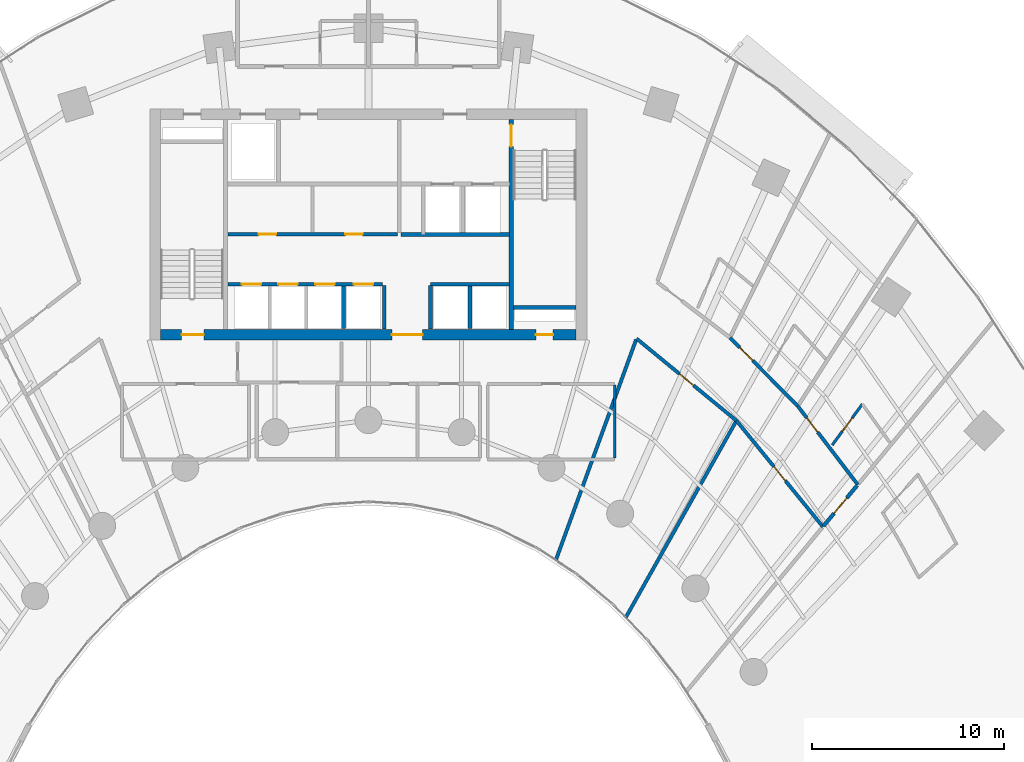
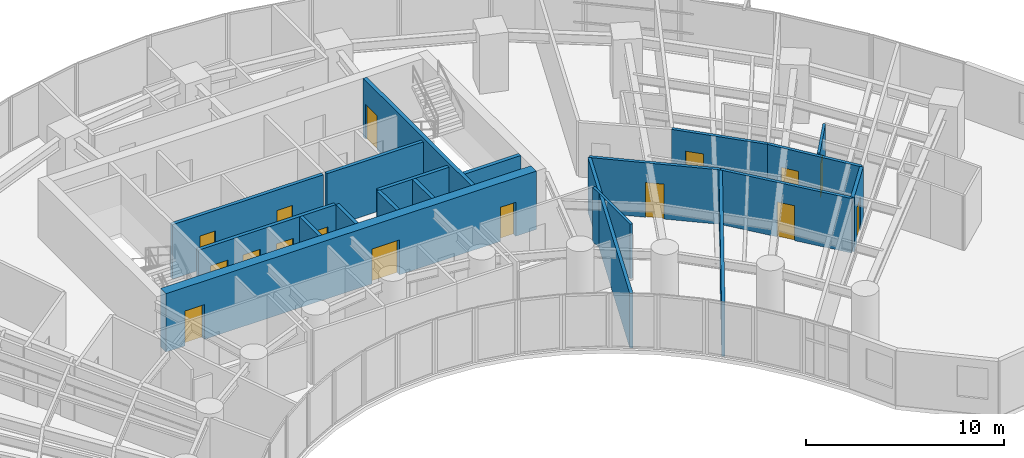
# One storey, part 12 of 17: 20 walls, 16 doors, 16 openings.
"""IFC4 building model written with IfcOpenShell, lengths in metres."""

from ifc_helpers import new_model, si_unit, direction, frame, frame_2d, origin, place, context, subcontext, project, spatial, rectangle, extrude, source, transform, mapped, material, layer, layer_set, type_object, type_shapes, element, fill, save


model = new_model("IFC4")

# Units and contexts
model_context = context("Model", 3, precision=1e-05, world=origin(), true_north=direction((0.0, 1.0)))
body_context = subcontext(model_context, "Body", "Model", "MODEL_VIEW")
ifc_project = project(units=[si_unit("LENGTHUNIT", "METRE"), si_unit("AREAUNIT", "SQUARE_METRE"), si_unit("VOLUMEUNIT", "CUBIC_METRE"), si_unit("PLANEANGLEUNIT", "RADIAN"), si_unit("MASSUNIT", "GRAM", prefix="KILO")], contexts=[model_context])

# Site, building, storey
site_placement = place(None, origin())
site = spatial("IfcSite", under=ifc_project, at=site_placement, CompositionType="ELEMENT")
building_placement = place(site_placement, origin())
building = spatial("IfcBuilding", under=site, at=building_placement, Name="Breltana Convention Tower", CompositionType="ELEMENT")
storey_placement = place(building_placement, frame((0.0, 0.0, 57.0)))
storey = spatial("IfcBuildingStorey", under=building, at=storey_placement, Name="L12", CompositionType="ELEMENT", Elevation=57.0)

# Wall, openings, doors
ifc_material_1 = material(Name="Concrete C60/75", Category="concrete")
ifc_layer_1 = layer(ifc_material_1, 0.550048828125, Name="Concrete C60/75")
ifc_layer_set_1 = layer_set([ifc_layer_1], Name="Concrete C60/75")
wall_type_1 = type_object("IfcWallType", Name="SW-CORE-550", PredefinedType="SHEAR", material=ifc_layer_set_1)
shared_shape_1 = source(origin(), body_context, "Body", "SweptSolid", [
    extrude(rectangle(XDim=21.60009765625, YDim=0.550048828125, at=frame_2d((10.800048828125, 0.0))), origin(), (0.0, 0.0, 1.0), 3.60009765625),
])
wall_1_placement = place(storey_placement, frame((37.199951171875, 60.47509765625, 0.0), z_axis=(0.0, 0.0, 1.0), x_axis=(1.0, 0.0, 0.0)))
wall_1 = element("IfcWall", 1, at=wall_1_placement, inside=storey, type_object=wall_type_1, Name="L12 South Core Shear Wall", PredefinedType="SHEAR", context=body_context, shape_type="MappedRepresentation", body=[
    mapped(shared_shape_1, transform((0.0, 0.0, 0.0), scale=1.0)),
])
opening_1_placement = place(wall_1_placement, frame((1.10009765625, 0.0, 0.0)))
opening_1 = element("IfcOpeningElement", 2, at=opening_1_placement, cuts=wall_1, Name="Opening D-11", PredefinedType="OPENING", context=body_context, shape_type="SweptSolid", body=[
    extrude(rectangle(XDim=1.14990234375, YDim=2.14990234375, at=frame_2d((0.574951171875, 1.074951171875))), frame((0.0, 0.28515625, 0.0), z_axis=(0.0, -1.0, 0.0), x_axis=(1.0, 0.0, 0.0)), (0.0, 0.0, 1.0), 0.570068359375),
])
opening_2_placement = place(wall_1_placement, frame((19.5, 0.0, 0.0)))
opening_2 = element("IfcOpeningElement", 3, at=opening_2_placement, cuts=wall_1, Name="Opening D-18", PredefinedType="OPENING", context=body_context, shape_type="SweptSolid", body=[
    extrude(rectangle(XDim=0.89990234375, YDim=2.10009765625, at=frame_2d((0.449951171875, 1.050048828125))), frame((0.0, 0.28515625, 0.0), z_axis=(0.0, -1.0, 0.0), x_axis=(1.0, 0.0, 0.0)), (0.0, 0.0, 1.0), 0.570068359375),
])
opening_3_placement = place(wall_1_placement, frame((12.02001953125, 0.0, 0.0)))
opening_3 = element("IfcOpeningElement", 4, at=opening_3_placement, cuts=wall_1, Name="Opening D-02", PredefinedType="OPENING", context=body_context, shape_type="SweptSolid", body=[
    extrude(rectangle(XDim=1.60009765625, YDim=2.14990234375, at=frame_2d((0.800048828125, 1.074951171875))), frame((0.0, 0.28515625, 0.0), z_axis=(0.0, -1.0, 0.0), x_axis=(1.0, 0.0, 0.0)), (0.0, 0.0, 1.0), 0.570068359375),
])
ifc_material_2 = material(Name="Steel Stair Exit Door", Category="steel")
door_type_1 = type_object("IfcDoorType", Name="DR-FD120-1150", OperationType="NOTDEFINED", PredefinedType="DOOR", material=ifc_material_2)
shared_shape_2 = source(origin(), body_context, "Body", "SweptSolid", [
    extrude(rectangle(XDim=1.14990234375, YDim=2.14990234375, at=frame_2d((0.574951171875, 1.074951171875))), frame((0.0, 0.02490234375, 0.0), z_axis=(0.0, -1.0, 0.0), x_axis=(1.0, 0.0, 0.0)), (0.0, 0.0, 1.0), 0.050048828125),
])
type_shapes(door_type_1, [shared_shape_2])
door_1_placement = place(opening_1_placement, origin())
door_1 = element("IfcDoor", 5, at=door_1_placement, inside=storey, type_object=door_type_1, Name="L12 interior door D-L12-ST1", OperationType="SINGLE_SWING_LEFT", OverallHeight=2.14990234375, OverallWidth=1.14990234375, PredefinedType="DOOR", context=body_context, shape_type="MappedRepresentation", body=[
    mapped(shared_shape_2, transform((0.0, 0.0, 0.0), scale=1.0)),
])
fill(opening_1, door_1)
ifc_material_3 = material(Name="Steel Riser Fire Door", Category="steel")
door_type_2 = type_object("IfcDoorType", Name="DR-FD60-900", OperationType="NOTDEFINED", PredefinedType="DOOR", material=ifc_material_3)
shared_shape_3 = source(origin(), body_context, "Body", "SweptSolid", [
    extrude(rectangle(XDim=0.89990234375, YDim=2.10009765625, at=frame_2d((0.449951171875, 1.050048828125))), frame((0.0, 0.02490234375, 0.0), z_axis=(0.0, -1.0, 0.0), x_axis=(1.0, 0.0, 0.0)), (0.0, 0.0, 1.0), 0.050048828125),
])
type_shapes(door_type_2, [shared_shape_3])
door_2_placement = place(opening_2_placement, origin())
door_2 = element("IfcDoor", 6, at=door_2_placement, inside=storey, type_object=door_type_2, Name="L12 Core Riser Access Door D-L12-RS2", OperationType="SINGLE_SWING_RIGHT", OverallHeight=2.10009765625, OverallWidth=0.89990234375, PredefinedType="DOOR", context=body_context, shape_type="MappedRepresentation", body=[
    mapped(shared_shape_3, transform((0.0, 0.0, 0.0), scale=1.0)),
])
fill(opening_2, door_2)
ifc_material_4 = material(Name="Steel Glazed Smoke-Control Door", Category="steel")
door_type_3 = type_object("IfcDoorType", Name="DR-DBL-FD90-1600", OperationType="DOUBLE_DOOR_SINGLE_SWING", PredefinedType="DOOR", material=ifc_material_4)
shared_shape_4 = source(origin(), body_context, "Body", "SweptSolid", [
    extrude(rectangle(XDim=1.60009765625, YDim=2.14990234375, at=frame_2d((0.800048828125, 1.074951171875))), frame((0.0, 0.02490234375, 0.0), z_axis=(0.0, -1.0, 0.0), x_axis=(1.0, 0.0, 0.0)), (0.0, 0.0, 1.0), 0.050048828125),
])
type_shapes(door_type_3, [shared_shape_4])
door_3_placement = place(opening_3_placement, origin())
door_3 = element("IfcDoor", 7, at=door_3_placement, inside=storey, type_object=door_type_3, Name="L12 interior door D-L12-LLB-S", OperationType="DOUBLE_DOOR_SINGLE_SWING", OverallHeight=2.14990234375, OverallWidth=1.60009765625, PredefinedType="DOOR", context=body_context, shape_type="MappedRepresentation", body=[
    mapped(shared_shape_4, transform((0.0, 0.0, 0.0), scale=1.0)),
])
fill(opening_3, door_3)

# Wall
ifc_material_5 = material(Name="Concrete C50/60", Category="concrete")
ifc_layer_2 = layer(ifc_material_5, 0.39990234375, Name="Concrete C50/60")
ifc_layer_set_2 = layer_set([ifc_layer_2], Name="Concrete C50/60")
wall_type_2 = type_object("IfcWallType", Name="SW-CORE-400", PredefinedType="SHEAR", material=ifc_layer_set_2)
shared_shape_5 = source(origin(), body_context, "Body", "SweptSolid", [
    extrude(rectangle(XDim=3.27001953125, YDim=0.219970703125, at=frame_2d((1.635009765625, 0.0))), origin(), (0.0, 0.0, 1.0), 3.60009765625),
])
wall_2_placement = place(storey_placement, frame((55.530029296875, 61.889892578125, 0.0), z_axis=(0.0, 0.0, 1.0), x_axis=(1.0, 0.0, 0.0)))
element("IfcWall", 8, at=wall_2_placement, inside=storey, type_object=wall_type_2, Name="L12 ST-2 Stairwell South Bearing Wall", PredefinedType="SHEAR", context=body_context, shape_type="MappedRepresentation", body=[
    mapped(shared_shape_5, transform((0.0, 0.0, 0.0), scale=1.0)),
])

# Wall, opening, door
shared_shape_6 = source(origin(), body_context, "Body", "SweptSolid", [
    extrude(rectangle(XDim=10.89990234375, YDim=0.219970703125, at=frame_2d((5.449951171875, 0.0))), origin(), (0.0, 0.0, 1.0), 3.60009765625),
])
wall_3_placement = place(storey_placement, frame((55.419921875, 60.75, 0.0), z_axis=(0.0, 0.0, 1.0), x_axis=(0.0, 1.0, 0.0)))
wall_3 = element("IfcWall", 9, at=wall_3_placement, inside=storey, type_object=wall_type_2, Name="L12 Core East Stair Spine Wall", PredefinedType="SHEAR", context=body_context, shape_type="MappedRepresentation", body=[
    mapped(shared_shape_6, transform((0.0, 0.0, 0.0), scale=1.0)),
])
opening_4_placement = place(wall_3_placement, frame((9.4951171875, 0.0, 0.0)))
opening_4 = element("IfcOpeningElement", 10, at=opening_4_placement, cuts=wall_3, Name="Opening D-11", PredefinedType="OPENING", context=body_context, shape_type="SweptSolid", body=[
    extrude(rectangle(XDim=1.14990234375, YDim=2.14990234375, at=frame_2d((0.574951171875, 1.074951171875))), frame((0.0, 0.1201171875, 0.0), z_axis=(0.0, -1.0, 0.0), x_axis=(1.0, 0.0, 0.0)), (0.0, 0.0, 1.0), 0.239990234375),
])
door_4_placement = place(opening_4_placement, origin())
door_4 = element("IfcDoor", 11, at=door_4_placement, inside=storey, type_object=door_type_1, Name="L12 interior door D-L12-ST2", OperationType="SINGLE_SWING_LEFT", OverallHeight=2.14990234375, OverallWidth=1.14990234375, PredefinedType="DOOR", context=body_context, shape_type="MappedRepresentation", body=[
    mapped(shared_shape_2, transform((0.0, 0.0, 0.0), scale=1.0)),
])
fill(opening_4, door_4)

# Walls
ifc_material_6 = material(Name="Autoclaved Aerated Concrete Block", Category="concrete")
ifc_layer_3 = layer(ifc_material_6, 0.199951171875, Name="Autoclaved Aerated Concrete Block")
ifc_layer_set_3 = layer_set([ifc_layer_3], Name="Autoclaved Aerated Concrete Block")
wall_type_3 = type_object("IfcWallType", Name="WL-SHAFT-200", PredefinedType="SOLIDWALL", material=ifc_layer_set_3)
shared_shape_7 = source(origin(), body_context, "Body", "SweptSolid", [
    extrude(rectangle(XDim=2.239990234375, YDim=0.199951171875, at=frame_2d((1.1201171875, 0.0))), origin(), (0.0, 0.0, 1.0), 3.360107421875),
])
for number, where, z_axis, x_axis, name in (
    (12, (48.820068359375, 60.780029296875, 0.0), (0.0, 0.0, 1.0), (0.0, 1.0, 0.0), "L12 interior partition W-L12-PORT-W"),
    (13, (51.219970703125, 60.780029296875, 0.0), (0.0, 0.0, 1.0), (0.0, 1.0, 0.0), "L12 interior partition W-L12-PORT-E"),
):
    element("IfcWall", number, at=place(storey_placement, frame(where, z_axis=z_axis, x_axis=x_axis)), inside=storey, type_object=wall_type_3, Name=name, PredefinedType="SOLIDWALL", context=body_context, shape_type="MappedRepresentation", body=[
        mapped(shared_shape_7, transform((0.0, 0.0, 0.0), scale=1.0)),
    ])
shared_shape_8 = source(origin(), body_context, "Body", "SweptSolid", [
    extrude(rectangle(XDim=5.6201171875, YDim=0.199951171875, at=frame_2d((2.81005859375, 0.0))), origin(), (0.0, 0.0, 1.0), 3.360107421875),
])
wall_4_placement = place(storey_placement, frame((49.699951171875, 65.679931640625, 0.0), z_axis=(0.0, 0.0, 1.0), x_axis=(1.0, 0.0, 0.0)))
element("IfcWall", 14, at=wall_4_placement, inside=storey, type_object=wall_type_3, Name="L12 interior partition W-L12-FL-S", PredefinedType="SOLIDWALL", context=body_context, shape_type="MappedRepresentation", body=[
    mapped(shared_shape_8, transform((0.0, 0.0, 0.0), scale=1.0)),
])

# Wall, openings, doors
shared_shape_9 = source(origin(), body_context, "Body", "SweptSolid", [
    extrude(rectangle(XDim=8.800048828125, YDim=0.199951171875, at=frame_2d((4.39990234375, 0.0))), origin(), (0.0, 0.0, 1.0), 3.360107421875),
])
wall_5_placement = place(storey_placement, frame((40.699951171875, 65.699951171875, 0.0), z_axis=(0.0, 0.0, 1.0), x_axis=(1.0, 0.0, 0.0)))
wall_5 = element("IfcWall", 15, at=wall_5_placement, inside=storey, type_object=wall_type_3, Name="L12 interior partition W-L12-SH-M-FRONT", PredefinedType="SOLIDWALL", context=body_context, shape_type="MappedRepresentation", body=[
    mapped(shared_shape_9, transform((0.0, 0.0, 0.0), scale=1.0)),
])
opening_5_placement = place(wall_5_placement, frame((1.60009765625, 0.0, 0.0)))
opening_5 = element("IfcOpeningElement", 16, at=opening_5_placement, cuts=wall_5, Name="Opening D-18", PredefinedType="OPENING", context=body_context, shape_type="SweptSolid", body=[
    extrude(rectangle(XDim=0.89990234375, YDim=2.10009765625, at=frame_2d((0.449951171875, 1.050048828125))), frame((0.0, 0.10986328125, 0.0), z_axis=(0.0, -1.0, 0.0), x_axis=(1.0, 0.0, 0.0)), (0.0, 0.0, 1.0), 0.219970703125),
])
opening_6_placement = place(wall_5_placement, frame((6.10009765625, 0.0, 0.0)))
opening_6 = element("IfcOpeningElement", 17, at=opening_6_placement, cuts=wall_5, Name="Opening D-18", PredefinedType="OPENING", context=body_context, shape_type="SweptSolid", body=[
    extrude(rectangle(XDim=0.89990234375, YDim=2.10009765625, at=frame_2d((0.449951171875, 1.050048828125))), frame((0.0, 0.10986328125, 0.0), z_axis=(0.0, -1.0, 0.0), x_axis=(1.0, 0.0, 0.0)), (0.0, 0.0, 1.0), 0.219970703125),
])
door_5_placement = place(opening_5_placement, origin())
door_5 = element("IfcDoor", 18, at=door_5_placement, inside=storey, type_object=door_type_2, Name="L12 interior door D-L12-LV7-B2A", OperationType="SINGLE_SWING_LEFT", OverallHeight=2.10009765625, OverallWidth=0.89990234375, PredefinedType="DOOR", context=body_context, shape_type="MappedRepresentation", body=[
    mapped(shared_shape_3, transform((0.0, 0.0, 0.0), scale=1.0)),
])
fill(opening_5, door_5)
door_6_placement = place(opening_6_placement, origin())
door_6 = element("IfcDoor", 19, at=door_6_placement, inside=storey, type_object=door_type_2, Name="L12 interior door D-L12-LV7-B2B", OperationType="SINGLE_SWING_RIGHT", OverallHeight=2.10009765625, OverallWidth=0.89990234375, PredefinedType="DOOR", context=body_context, shape_type="MappedRepresentation", body=[
    mapped(shared_shape_3, transform((0.0, 0.0, 0.0), scale=1.0)),
])
fill(opening_6, door_6)

shared_shape_10 = source(origin(), body_context, "Body", "SweptSolid", [
    extrude(rectangle(XDim=8.02001953125, YDim=0.199951171875, at=frame_2d((4.010009765625, 0.0))), origin(), (0.0, 0.0, 1.0), 3.360107421875),
])
wall_6_placement = place(storey_placement, frame((40.699951171875, 63.10009765625, 0.0), z_axis=(0.0, 0.0, 1.0), x_axis=(1.0, 0.0, 0.0)))
wall_6 = element("IfcWall", 20, at=wall_6_placement, inside=storey, type_object=wall_type_3, Name="L12 interior partition W-L12-SH-S-FRONT", PredefinedType="SOLIDWALL", context=body_context, shape_type="MappedRepresentation", body=[
    mapped(shared_shape_10, transform((0.0, 0.0, 0.0), scale=1.0)),
])
opening_7_placement = place(wall_6_placement, frame((0.719970703125, 0.0, 0.0)))
opening_7 = element("IfcOpeningElement", 21, at=opening_7_placement, cuts=wall_6, Name="Opening LD-04", PredefinedType="OPENING", context=body_context, shape_type="SweptSolid", body=[
    extrude(rectangle(XDim=1.0, YDim=2.14990234375, at=frame_2d((0.5, 1.074951171875))), frame((0.0, 0.10986328125, 0.0), z_axis=(0.0, -1.0, 0.0), x_axis=(1.0, 0.0, 0.0)), (0.0, 0.0, 1.0), 0.219970703125),
])
opening_8_placement = place(wall_6_placement, frame((2.6201171875, 0.0, 0.0)))
opening_8 = element("IfcOpeningElement", 22, at=opening_8_placement, cuts=wall_6, Name="Opening LD-04", PredefinedType="OPENING", context=body_context, shape_type="SweptSolid", body=[
    extrude(rectangle(XDim=1.0, YDim=2.14990234375, at=frame_2d((0.5, 1.074951171875))), frame((0.0, 0.10986328125, 0.0), z_axis=(0.0, -1.0, 0.0), x_axis=(1.0, 0.0, 0.0)), (0.0, 0.0, 1.0), 0.219970703125),
])
opening_9_placement = place(wall_6_placement, frame((4.550048828125, 0.0, 0.0)))
opening_9 = element("IfcOpeningElement", 23, at=opening_9_placement, cuts=wall_6, Name="Opening LD-04", PredefinedType="OPENING", context=body_context, shape_type="SweptSolid", body=[
    extrude(rectangle(XDim=1.0, YDim=2.14990234375, at=frame_2d((0.5, 1.074951171875))), frame((0.0, 0.10986328125, 0.0), z_axis=(0.0, -1.0, 0.0), x_axis=(1.0, 0.0, 0.0)), (0.0, 0.0, 1.0), 0.219970703125),
])
opening_10_placement = place(wall_6_placement, frame((6.550048828125, 0.0, 0.0)))
opening_10 = element("IfcOpeningElement", 24, at=opening_10_placement, cuts=wall_6, Name="Opening LD-04", PredefinedType="OPENING", context=body_context, shape_type="SweptSolid", body=[
    extrude(rectangle(XDim=1.0, YDim=2.14990234375, at=frame_2d((0.5, 1.074951171875))), frame((0.0, 0.10986328125, 0.0), z_axis=(0.0, -1.0, 0.0), x_axis=(1.0, 0.0, 0.0)), (0.0, 0.0, 1.0), 0.219970703125),
])
ifc_material_7 = material(Name="Stainless Steel Brushed", Category="steel")
door_type_4 = type_object("IfcDoorType", Name="DR-LD-PAX-1000", OperationType="DOUBLE_DOOR_SLIDING", PredefinedType="DOOR", material=ifc_material_7)
shared_shape_11 = source(origin(), body_context, "Body", "SweptSolid", [
    extrude(rectangle(XDim=1.0, YDim=2.14990234375, at=frame_2d((0.5, 1.074951171875))), frame((0.0, 0.02490234375, 0.0), z_axis=(0.0, -1.0, 0.0), x_axis=(1.0, 0.0, 0.0)), (0.0, 0.0, 1.0), 0.050048828125),
])
type_shapes(door_type_4, [shared_shape_11])
door_7_placement = place(opening_7_placement, origin())
door_7 = element("IfcDoor", 25, at=door_7_placement, inside=storey, type_object=door_type_4, Name="L12 Lift Landing Door D-L12-LD-S1", OperationType="DOUBLE_DOOR_SLIDING", OverallHeight=2.14990234375, OverallWidth=1.0, PredefinedType="DOOR", context=body_context, shape_type="MappedRepresentation", body=[
    mapped(shared_shape_11, transform((0.0, 0.0, 0.0), scale=1.0)),
])
fill(opening_7, door_7)
door_8_placement = place(opening_8_placement, origin())
door_8 = element("IfcDoor", 26, at=door_8_placement, inside=storey, type_object=door_type_4, Name="L12 Lift Landing Door D-L12-LD-S2", OperationType="DOUBLE_DOOR_SLIDING", OverallHeight=2.14990234375, OverallWidth=1.0, PredefinedType="DOOR", context=body_context, shape_type="MappedRepresentation", body=[
    mapped(shared_shape_11, transform((0.0, 0.0, 0.0), scale=1.0)),
])
fill(opening_8, door_8)
door_9_placement = place(opening_9_placement, origin())
door_9 = element("IfcDoor", 27, at=door_9_placement, inside=storey, type_object=door_type_4, Name="L12 Lift Landing Door D-L12-LD-S3", OperationType="DOUBLE_DOOR_SLIDING", OverallHeight=2.14990234375, OverallWidth=1.0, PredefinedType="DOOR", context=body_context, shape_type="MappedRepresentation", body=[
    mapped(shared_shape_11, transform((0.0, 0.0, 0.0), scale=1.0)),
])
fill(opening_9, door_9)
door_10_placement = place(opening_10_placement, origin())
door_10 = element("IfcDoor", 28, at=door_10_placement, inside=storey, type_object=door_type_4, Name="L12 Lift Landing Door D-L12-LD-S4", OperationType="DOUBLE_DOOR_SLIDING", OverallHeight=2.14990234375, OverallWidth=1.0, PredefinedType="DOOR", context=body_context, shape_type="MappedRepresentation", body=[
    mapped(shared_shape_11, transform((0.0, 0.0, 0.0), scale=1.0)),
])
fill(opening_10, door_10)

# Walls
shared_shape_12 = source(origin(), body_context, "Body", "SweptSolid", [
    extrude(rectangle(XDim=4.10009765625, YDim=0.199951171875, at=frame_2d((2.050048828125, 0.0))), origin(), (0.0, 0.0, 1.0), 3.360107421875),
])
wall_7_placement = place(storey_placement, frame((51.219970703125, 63.10009765625, 0.0), z_axis=(0.0, 0.0, 1.0), x_axis=(1.0, 0.0, 0.0)))
element("IfcWall", 29, at=wall_7_placement, inside=storey, type_object=wall_type_3, Name="L12 interior partition W-L12-SH-X-FRONT", PredefinedType="SOLIDWALL", context=body_context, shape_type="MappedRepresentation", body=[
    mapped(shared_shape_12, transform((0.0, 0.0, 0.0), scale=1.0)),
])
shared_shape_13 = source(origin(), body_context, "Body", "SweptSolid", [
    extrude(rectangle(XDim=2.199951171875, YDim=0.199951171875, at=frame_2d((1.10009765625, 0.0))), origin(), (0.0, 0.0, 1.0), 3.360107421875),
])
for number, where, z_axis, x_axis, name in (
    (30, (46.699951171875, 60.800048828125, 0.0), (0.0, 0.0, 1.0), (0.0, 1.0, 0.0), "L12 interior partition W-L12-SH-S-DIV3"),
    (31, (53.280029296875, 60.800048828125, 0.0), (0.0, 0.0, 1.0), (0.0, 1.0, 0.0), "L12 interior partition W-L12-SH-X-DIV"),
):
    element("IfcWall", number, at=place(storey_placement, frame(where, z_axis=z_axis, x_axis=x_axis)), inside=storey, type_object=wall_type_3, Name=name, PredefinedType="SOLIDWALL", context=body_context, shape_type="MappedRepresentation", body=[
        mapped(shared_shape_13, transform((0.0, 0.0, 0.0), scale=1.0)),
    ])
ifc_material_8 = material(Name="Gypsum Acoustic Drywall Partition")
ifc_layer_4 = layer(ifc_material_8, 0.14990234375, Name="Gypsum Acoustic Drywall Partition")
ifc_layer_set_4 = layer_set([ifc_layer_4], Name="Gypsum Acoustic Drywall Partition")
wall_type_4 = type_object("IfcWallType", Name="WL-PART-150", PredefinedType="PARTITIONING", material=ifc_layer_set_4)
shared_shape_14 = source(origin(), body_context, "Body", "SweptSolid", [
    extrude(rectangle(XDim=3.78515625, YDim=0.14990234375, at=frame_2d((1.892578125, 0.0))), origin(), (0.0, 0.0, 1.0), 3.360107421875),
])
wall_8_placement = place(storey_placement, frame((60.800048828125, 54.0673828125, 0.0), z_axis=(0.0, 0.0, 1.0), x_axis=(0.0, 1.0, 0.0)))
element("IfcWall", 32, at=wall_8_placement, inside=storey, type_object=wall_type_4, Name="L12 interior partition W-L12-HMT-E", PredefinedType="PARTITIONING", context=body_context, shape_type="MappedRepresentation", body=[
    mapped(shared_shape_14, transform((0.0, 0.0, 0.0), scale=1.0)),
])

# Wall, opening, door
ifc_material_9 = material(Name="Gypsum Acoustic Hotel Wall")
ifc_layer_5 = layer(ifc_material_9, 0.195068359375, Name="Gypsum Acoustic Hotel Wall")
ifc_layer_set_5 = layer_set([ifc_layer_5], Name="Gypsum Acoustic Hotel Wall")
wall_type_5 = type_object("IfcWallType", Name="WL-HOTEL-200", PredefinedType="PARTITIONING", material=ifc_layer_set_5)
shared_shape_15 = source(origin(), body_context, "Body", "SweptSolid", [
    extrude(rectangle(XDim=2.748291015625, YDim=0.195068359375, at=frame_2d((1.3740234375, 0.0))), origin(), (0.0, 0.0, 1.0), 3.360107421875),
])
wall_9_placement = place(storey_placement, frame((71.64697265625, 50.531005859375, 0.0), z_axis=(0.0, 0.0, 1.0), x_axis=(0.638111168284, 0.769944242729, 0.0)))
wall_9 = element("IfcWall", 33, at=wall_9_placement, inside=storey, type_object=wall_type_5, Name="L12 interior partition W-L12-CS-E-END", PredefinedType="PARTITIONING", context=body_context, shape_type="MappedRepresentation", body=[
    mapped(shared_shape_15, transform((0.0, 0.0, 0.0), scale=1.0)),
])
opening_11_placement = place(wall_9_placement, frame((0.84912109375, 0.0, 0.0)))
opening_11 = element("IfcOpeningElement", 34, at=opening_11_placement, cuts=wall_9, Name="Opening D-13", PredefinedType="OPENING", context=body_context, shape_type="SweptSolid", body=[
    extrude(rectangle(XDim=1.050048828125, YDim=2.14990234375, at=frame_2d((0.52490234375, 1.074951171875))), frame((0.0, 0.107421875, 0.0), z_axis=(0.0, -1.0, 0.0), x_axis=(1.0, 0.0, 0.0)), (0.0, 0.0, 1.0), 0.215087890625),
])
ifc_material_10 = material(Name="Timber Solid-Core Fire Door", Category="wood")
door_type_5 = type_object("IfcDoorType", Name="DR-FD60-1050", OperationType="NOTDEFINED", PredefinedType="DOOR", material=ifc_material_10)
shared_shape_16 = source(origin(), body_context, "Body", "SweptSolid", [
    extrude(rectangle(XDim=1.050048828125, YDim=2.14990234375, at=frame_2d((0.52490234375, 1.074951171875))), frame((0.0, 0.02490234375, 0.0), z_axis=(0.0, -1.0, 0.0), x_axis=(1.0, 0.0, 0.0)), (0.0, 0.0, 1.0), 0.050048828125),
])
type_shapes(door_type_5, [shared_shape_16])
door_11_placement = place(opening_11_placement, origin())
door_11 = element("IfcDoor", 35, at=door_11_placement, inside=storey, type_object=door_type_5, Name="L12 interior door D-L12-CS-E", OperationType="SINGLE_SWING_RIGHT", OverallHeight=2.14990234375, OverallWidth=1.050048828125, PredefinedType="DOOR", context=body_context, shape_type="MappedRepresentation", body=[
    mapped(shared_shape_16, transform((0.0, 0.0, 0.0), scale=1.0)),
])
fill(opening_11, door_11)

# Wall
ifc_material_11 = material(Name="Moisture-Resistant Gypsum Chase Wall")
ifc_layer_6 = layer(ifc_material_11, 0.179931640625, Name="Moisture-Resistant Gypsum Chase Wall")
ifc_layer_set_6 = layer_set([ifc_layer_6], Name="Moisture-Resistant Gypsum Chase Wall")
wall_type_6 = type_object("IfcWallType", Name="WL-PLUMB-180", PredefinedType="PLUMBINGWALL", material=ifc_layer_set_6)
shared_shape_17 = source(origin(), body_context, "Body", "SweptSolid", [
    extrude(rectangle(XDim=12.1962890625, YDim=0.179931640625, at=frame_2d((6.09814453125, 0.0))), origin(), (0.0, 0.0, 1.0), 3.360107421875),
])
wall_10_placement = place(storey_placement, frame((57.742431640625, 48.766357421875, 0.0), z_axis=(0.0, 0.0, 1.0), x_axis=(0.342022711534, 0.939691686031, 0.0)))
element("IfcWall", 36, at=wall_10_placement, inside=storey, type_object=wall_type_6, Name="L12 interior partition W-L12-HE04-RA", PredefinedType="PLUMBINGWALL", context=body_context, shape_type="MappedRepresentation", body=[
    mapped(shared_shape_17, transform((0.0, 0.0, 0.0), scale=1.0)),
])

# Wall, opening, door
shared_shape_18 = source(origin(), body_context, "Body", "SweptSolid", [
    extrude(rectangle(XDim=5.012451171875, YDim=0.179931640625, at=frame_2d((2.50634765625, 0.0))), origin(), (0.0, 0.0, 1.0), 3.360107421875),
])
wall_11_placement = place(storey_placement, frame((66.78759765625, 60.32568359375, 0.0), z_axis=(0.0, 0.0, 1.0), x_axis=(0.703664626435, -0.710532260707, 0.0)))
wall_11 = element("IfcWall", 37, at=wall_11_placement, inside=storey, type_object=wall_type_6, Name="L12 interior partition W-L12-HE02-COR", PredefinedType="PLUMBINGWALL", context=body_context, shape_type="MappedRepresentation", body=[
    mapped(shared_shape_18, transform((0.0, 0.0, 0.0), scale=1.0)),
])
opening_12_placement = place(wall_11_placement, frame((0.72802734375, 0.0, 0.0)))
opening_12 = element("IfcOpeningElement", 38, at=opening_12_placement, cuts=wall_11, Name="Opening D-14", PredefinedType="OPENING", context=body_context, shape_type="SweptSolid", body=[
    extrude(rectangle(XDim=0.949951171875, YDim=2.14990234375, at=frame_2d((0.47509765625, 1.074951171875))), frame((0.0, 0.10009765625, 0.0), z_axis=(0.0, -1.0, 0.0), x_axis=(1.0, 0.0, 0.0)), (0.0, 0.0, 1.0), 0.199951171875),
])
door_type_6 = type_object("IfcDoorType", Name="DR-FD60-950", OperationType="NOTDEFINED", PredefinedType="DOOR", material=ifc_material_10)
shared_shape_19 = source(origin(), body_context, "Body", "SweptSolid", [
    extrude(rectangle(XDim=0.949951171875, YDim=2.14990234375, at=frame_2d((0.47509765625, 1.074951171875))), frame((0.0, 0.02490234375, 0.0), z_axis=(0.0, -1.0, 0.0), x_axis=(1.0, 0.0, 0.0)), (0.0, 0.0, 1.0), 0.050048828125),
])
type_shapes(door_type_6, [shared_shape_19])
door_12_placement = place(opening_12_placement, origin())
door_12 = element("IfcDoor", 39, at=door_12_placement, inside=storey, type_object=door_type_6, Name="L12 interior door D-L12-HE02", OperationType="SINGLE_SWING_RIGHT", OverallHeight=2.14990234375, OverallWidth=0.949951171875, PredefinedType="DOOR", context=body_context, shape_type="MappedRepresentation", body=[
    mapped(shared_shape_19, transform((0.0, 0.0, 0.0), scale=1.0)),
])
fill(opening_12, door_12)

shared_shape_20 = source(origin(), body_context, "Body", "SweptSolid", [
    extrude(rectangle(XDim=5.134765625, YDim=0.179931640625, at=frame_2d((2.5673828125, 0.0))), origin(), (0.0, 0.0, 1.0), 3.360107421875),
])
wall_12_placement = place(storey_placement, frame((70.314697265625, 56.76416015625, 0.0), z_axis=(0.0, 0.0, 1.0), x_axis=(0.606802199649, -0.794852873494, 0.0)))
wall_12 = element("IfcWall", 40, at=wall_12_placement, inside=storey, type_object=wall_type_6, Name="L12 interior partition W-L12-HE03-COR", PredefinedType="PLUMBINGWALL", context=body_context, shape_type="MappedRepresentation", body=[
    mapped(shared_shape_20, transform((0.0, 0.0, 0.0), scale=1.0)),
])
opening_13_placement = place(wall_12_placement, frame((0.75732421875, 0.0, 0.0)))
opening_13 = element("IfcOpeningElement", 41, at=opening_13_placement, cuts=wall_12, Name="Opening D-14", PredefinedType="OPENING", context=body_context, shape_type="SweptSolid", body=[
    extrude(rectangle(XDim=0.949951171875, YDim=2.14990234375, at=frame_2d((0.47509765625, 1.074951171875))), frame((0.0, 0.10009765625, 0.0), z_axis=(0.0, -1.0, 0.0), x_axis=(1.0, 0.0, 0.0)), (0.0, 0.0, 1.0), 0.199951171875),
])
door_13_placement = place(opening_13_placement, origin())
door_13 = element("IfcDoor", 42, at=door_13_placement, inside=storey, type_object=door_type_6, Name="L12 interior door D-L12-HE03", OperationType="SINGLE_SWING_RIGHT", OverallHeight=2.14990234375, OverallWidth=0.949951171875, PredefinedType="DOOR", context=body_context, shape_type="MappedRepresentation", body=[
    mapped(shared_shape_19, transform((0.0, 0.0, 0.0), scale=1.0)),
])
fill(opening_13, door_13)

ifc_material_12 = material(Name="Moisture-Resistant En-Suite Partition")
ifc_layer_7 = layer(ifc_material_12, 0.139892578125, Name="Moisture-Resistant En-Suite Partition")
ifc_layer_set_7 = layer_set([ifc_layer_7], Name="Moisture-Resistant En-Suite Partition")
wall_type_7 = type_object("IfcWallType", Name="WL-WET-150", PredefinedType="PARTITIONING", material=ifc_layer_set_7)
shared_shape_21 = source(origin(), body_context, "Body", "SweptSolid", [
    extrude(rectangle(XDim=2.6416015625, YDim=0.139892578125, at=frame_2d((1.32080078125, 0.0))), origin(), (0.0, 0.0, 1.0), 3.360107421875),
])
wall_13_placement = place(storey_placement, frame((72.101318359375, 54.74072265625, 0.0), z_axis=(0.0, 0.0, 1.0), x_axis=(0.592789122423, 0.805357719487, 0.0)))
wall_13 = element("IfcWall", 43, at=wall_13_placement, inside=storey, type_object=wall_type_7, Name="L12 interior partition W-L12-HE03E-SD", PredefinedType="PARTITIONING", context=body_context, shape_type="MappedRepresentation", body=[
    mapped(shared_shape_21, transform((0.0, 0.0, 0.0), scale=1.0)),
])
opening_14_placement = place(wall_13_placement, frame((0.895751953125, 0.0, 0.0)))
opening_14 = element("IfcOpeningElement", 44, at=opening_14_placement, cuts=wall_13, Name="Opening D-21", PredefinedType="OPENING", context=body_context, shape_type="SweptSolid", body=[
    extrude(rectangle(XDim=0.85009765625, YDim=2.050048828125, at=frame_2d((0.425048828125, 1.02490234375))), frame((0.0, 0.080078125, 0.0), z_axis=(0.0, -1.0, 0.0), x_axis=(1.0, 0.0, 0.0)), (0.0, 0.0, 1.0), 0.159912109375),
])
ifc_material_13 = material(Name="Timber Moisture-Resistant En-Suite Door", Category="wood")
door_type_7 = type_object("IfcDoorType", Name="DR-WET-850", OperationType="NOTDEFINED", PredefinedType="DOOR", material=ifc_material_13)
shared_shape_22 = source(origin(), body_context, "Body", "SweptSolid", [
    extrude(rectangle(XDim=0.85009765625, YDim=2.050048828125, at=frame_2d((0.425048828125, 1.02490234375))), frame((0.0, 0.02490234375, 0.0), z_axis=(0.0, -1.0, 0.0), x_axis=(1.0, 0.0, 0.0)), (0.0, 0.0, 1.0), 0.050048828125),
])
type_shapes(door_type_7, [shared_shape_22])
door_14_placement = place(opening_14_placement, origin())
door_14 = element("IfcDoor", 45, at=door_14_placement, inside=storey, type_object=door_type_7, Name="L12 interior door D-L12-HE03E", OperationType="SINGLE_SWING_LEFT", OverallHeight=2.050048828125, OverallWidth=0.85009765625, PredefinedType="DOOR", context=body_context, shape_type="MappedRepresentation", body=[
    mapped(shared_shape_22, transform((0.0, 0.0, 0.0), scale=1.0)),
])
fill(opening_14, door_14)

shared_shape_23 = source(origin(), body_context, "Body", "SweptSolid", [
    extrude(rectangle(XDim=6.72119140625, YDim=0.179931640625, at=frame_2d((3.360595703125, 0.0))), origin(), (0.0, 0.0, 1.0), 3.360107421875),
])
wall_14_placement = place(storey_placement, frame((61.931396484375, 60.275390625, 0.0), z_axis=(0.0, 0.0, 1.0), x_axis=(0.772828051199, -0.63461547671, 0.0)))
wall_14 = element("IfcWall", 46, at=wall_14_placement, inside=storey, type_object=wall_type_6, Name="L12 interior partition W-L12-HE04-COR", PredefinedType="PLUMBINGWALL", context=body_context, shape_type="MappedRepresentation", body=[
    mapped(shared_shape_23, transform((0.0, 0.0, 0.0), scale=1.0)),
])
opening_15_placement = place(wall_14_placement, frame((2.885498046875, 0.0, 0.0)))
opening_15 = element("IfcOpeningElement", 47, at=opening_15_placement, cuts=wall_14, Name="Opening D-14", PredefinedType="OPENING", context=body_context, shape_type="SweptSolid", body=[
    extrude(rectangle(XDim=0.949951171875, YDim=2.14990234375, at=frame_2d((0.47509765625, 1.074951171875))), frame((0.0, 0.10009765625, 0.0), z_axis=(0.0, -1.0, 0.0), x_axis=(1.0, 0.0, 0.0)), (0.0, 0.0, 1.0), 0.199951171875),
])
door_15_placement = place(opening_15_placement, origin())
door_15 = element("IfcDoor", 48, at=door_15_placement, inside=storey, type_object=door_type_6, Name="L12 interior door D-L12-HE04", OperationType="SINGLE_SWING_RIGHT", OverallHeight=2.14990234375, OverallWidth=0.949951171875, PredefinedType="DOOR", context=body_context, shape_type="MappedRepresentation", body=[
    mapped(shared_shape_19, transform((0.0, 0.0, 0.0), scale=1.0)),
])
fill(opening_15, door_15)

# Wall
shared_shape_24 = source(origin(), body_context, "Body", "SweptSolid", [
    extrude(rectangle(XDim=11.670166015625, YDim=0.179931640625, at=frame_2d((5.8349609375, 0.0))), origin(), (0.0, 0.0, 1.0), 3.360107421875),
])
wall_15_placement = place(storey_placement, frame((61.38134765625, 45.795166015625, 0.0), z_axis=(0.0, 0.0, 1.0), x_axis=(0.490156946222, 0.871634193954, 0.0)))
element("IfcWall", 49, at=wall_15_placement, inside=storey, type_object=wall_type_6, Name="L12 interior partition W-L12-HE04-RB", PredefinedType="PLUMBINGWALL", context=body_context, shape_type="MappedRepresentation", body=[
    mapped(shared_shape_24, transform((0.0, 0.0, 0.0), scale=1.0)),
])

# Wall, opening, door
shared_shape_25 = source(origin(), body_context, "Body", "SweptSolid", [
    extrude(rectangle(XDim=7.112548828125, YDim=0.179931640625, at=frame_2d((3.55615234375, 0.0))), origin(), (0.0, 0.0, 1.0), 3.360107421875),
])
wall_16_placement = place(storey_placement, frame((67.125732421875, 56.010009765625, 0.0), z_axis=(0.0, 0.0, 1.0), x_axis=(0.63149032532, -0.775383755974, 0.0)))
wall_16 = element("IfcWall", 50, at=wall_16_placement, inside=storey, type_object=wall_type_6, Name="L12 interior partition W-L12-HE05-COR", PredefinedType="PLUMBINGWALL", context=body_context, shape_type="MappedRepresentation", body=[
    mapped(shared_shape_25, transform((0.0, 0.0, 0.0), scale=1.0)),
])
opening_16_placement = place(wall_16_placement, frame((3.081298828125, 0.0, 0.0)))
opening_16 = element("IfcOpeningElement", 51, at=opening_16_placement, cuts=wall_16, Name="Opening D-14", PredefinedType="OPENING", context=body_context, shape_type="SweptSolid", body=[
    extrude(rectangle(XDim=0.949951171875, YDim=2.14990234375, at=frame_2d((0.47509765625, 1.074951171875))), frame((0.0, 0.10009765625, 0.0), z_axis=(0.0, -1.0, 0.0), x_axis=(1.0, 0.0, 0.0)), (0.0, 0.0, 1.0), 0.199951171875),
])
door_16_placement = place(opening_16_placement, origin())
door_16 = element("IfcDoor", 52, at=door_16_placement, inside=storey, type_object=door_type_6, Name="L12 interior door D-L12-HE05", OperationType="SINGLE_SWING_LEFT", OverallHeight=2.14990234375, OverallWidth=0.949951171875, PredefinedType="DOOR", context=body_context, shape_type="MappedRepresentation", body=[
    mapped(shared_shape_19, transform((0.0, 0.0, 0.0), scale=1.0)),
])
fill(opening_16, door_16)

save(model, "model.ifc")
